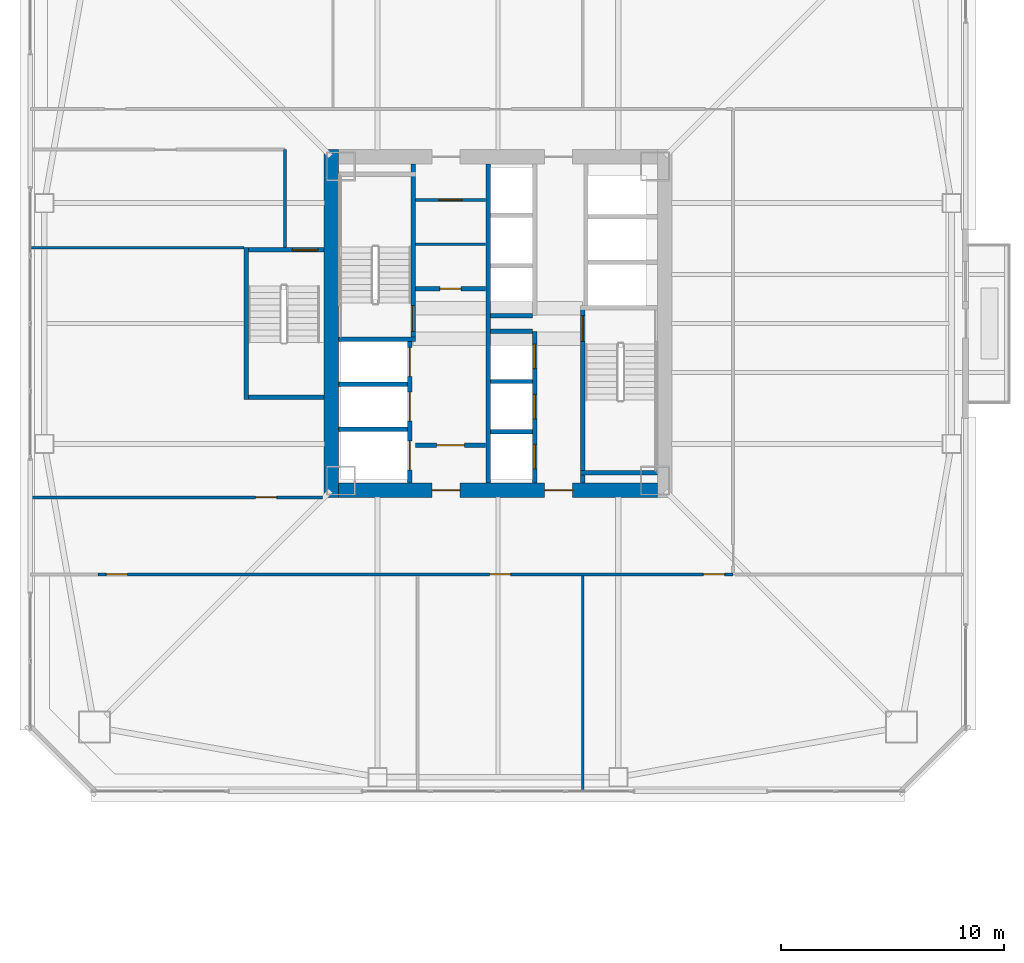
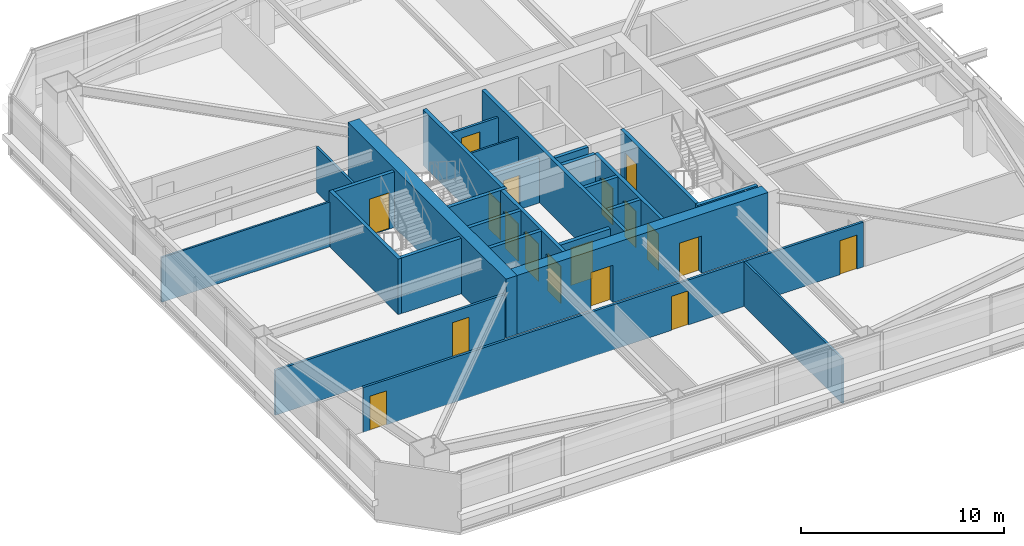
# One storey, part 33 of 44: 27 walls, 18 doors, 18 openings.
"""IFC4 building model written with IfcOpenShell, lengths in metres."""

from ifc_helpers import new_model, si_unit, direction, frame, frame_2d, origin, place, context, subcontext, project, spatial, rectangle, extrude, material, layer, layer_set, type_object, element, fill, save


model = new_model("IFC4")

# Units and contexts
model_context = context("Model", 3, precision=1e-05, world=origin(), true_north=direction((0.0, 1.0)))
body_context = subcontext(model_context, "Body", "Model", "MODEL_VIEW")
ifc_project = project(units=[si_unit("LENGTHUNIT", "METRE"), si_unit("AREAUNIT", "SQUARE_METRE"), si_unit("VOLUMEUNIT", "CUBIC_METRE"), si_unit("PLANEANGLEUNIT", "RADIAN"), si_unit("MASSUNIT", "GRAM", prefix="KILO")], contexts=[model_context])

# Site, building, storey
site_placement = place(None, origin())
site = spatial("IfcSite", under=ifc_project, at=site_placement, CompositionType="ELEMENT")
building_placement = place(site_placement, origin())
building = spatial("IfcBuilding", under=site, at=building_placement, Name="Tashvorn Skyway Center", CompositionType="ELEMENT")
storey_placement = place(building_placement, frame((0.0, 0.0, 84.949951171875)))
storey = spatial("IfcBuildingStorey", under=building, at=storey_placement, Name="L22", CompositionType="ELEMENT", Elevation=84.949951171875)

# Wall
ifc_material_1 = material(Name="Concrete C60/75", Category="concrete")
ifc_layer_1 = layer(ifc_material_1, 0.64990234375)
ifc_layer_set_1 = layer_set([ifc_layer_1], Name="Concrete C60/75")
wall_type_1 = type_object("IfcWallType", Name="WALL-CORE-650", PredefinedType="SHEAR", material=ifc_layer_set_1)
wall_1_placement = place(storey_placement, frame((34.52490234375, 24.199951171875, 0.0), z_axis=(0.0, 0.0, 1.0), x_axis=(0.0, 1.0, 0.0)))
element("IfcWall", 1, at=wall_1_placement, inside=storey, type_object=wall_type_1, Name="Tower 1 L22 West Core Shear Wall", PredefinedType="SHEAR", context=body_context, shape_type="SweptSolid", body=[
    extrude(rectangle(XDim=15.60009765625, YDim=0.64990234375, at=frame_2d((7.800048828125, 0.0))), origin(), (0.0, 0.0, 1.0), 3.550048828125),
])

# Wall, openings, doors
wall_2_placement = place(storey_placement, frame((49.14990234375, 24.52490234375, 0.0), z_axis=(0.0, 0.0, 1.0), x_axis=(-1.0, 0.0, 0.0)))
wall_2 = element("IfcWall", 2, at=wall_2_placement, inside=storey, type_object=wall_type_1, Name="Tower 1 L22 South Core Shear Wall", PredefinedType="SHEAR", context=body_context, shape_type="SweptSolid", body=[
    extrude(rectangle(XDim=14.2998046875, YDim=0.64990234375, at=frame_2d((7.14990234375, 0.0))), origin(), (0.0, 0.0, 1.0), 3.550048828125),
])
opening_1_placement = place(wall_2_placement, frame((8.85009765625, 0.0, 0.0)))
opening_1 = element("IfcOpeningElement", 3, at=opening_1_placement, cuts=wall_2, Name="Opening D-FFL-1250", PredefinedType="OPENING", context=body_context, shape_type="SweptSolid", body=[
    extrude(rectangle(XDim=1.25, YDim=2.25, at=frame_2d((0.625, 1.125))), frame((0.0, 0.3349609375, 0.0), z_axis=(0.0, -1.0, 0.0), x_axis=(1.0, 0.0, 0.0)), (0.0, 0.0, 1.0), 0.669921875),
])
opening_2_placement = place(wall_2_placement, frame((3.800048828125, 0.0, 0.0)))
opening_2 = element("IfcOpeningElement", 4, at=opening_2_placement, cuts=wall_2, Name="Opening D-FFL-1250", PredefinedType="OPENING", context=body_context, shape_type="SweptSolid", body=[
    extrude(rectangle(XDim=1.25, YDim=2.25, at=frame_2d((0.625, 1.125))), frame((0.0, 0.3349609375, 0.0), z_axis=(0.0, -1.0, 0.0), x_axis=(1.0, 0.0, 0.0)), (0.0, 0.0, 1.0), 0.669921875),
])
ifc_material_2 = material(Name="Hollow galvanized steel fire door assembly", Category="steel")
door_type_1 = type_object("IfcDoorType", Name="DOOR-FFL-1250", OperationType="NOTDEFINED", PredefinedType="DOOR", material=ifc_material_2)
door_1_placement = place(opening_1_placement, origin())
door_1 = element("IfcDoor", 5, at=door_1_placement, inside=storey, type_object=door_type_1, Name="Tower 1 L22 Core South Firefighting Exit Door", OperationType="SINGLE_SWING_LEFT", OverallHeight=2.25, OverallWidth=1.25, PredefinedType="DOOR", context=body_context, shape_type="SweptSolid", body=[
    extrude(rectangle(XDim=1.25, YDim=2.25, at=frame_2d((0.625, 1.125))), frame((0.0, 0.02490234375, 0.0), z_axis=(0.0, -1.0, 0.0), x_axis=(1.0, 0.0, 0.0)), (0.0, 0.0, 1.0), 0.050048828125),
])
fill(opening_1, door_1)
door_2_placement = place(opening_2_placement, origin())
door_2 = element("IfcDoor", 6, at=door_2_placement, inside=storey, type_object=door_type_1, Name="Tower 1 L22 Core South Lift Lobby Door", OperationType="SINGLE_SWING_RIGHT", OverallHeight=2.25, OverallWidth=1.25, PredefinedType="DOOR", context=body_context, shape_type="SweptSolid", body=[
    extrude(rectangle(XDim=1.25, YDim=2.25, at=frame_2d((0.625, 1.125))), frame((0.0, 0.02490234375, 0.0), z_axis=(0.0, -1.0, 0.0), x_axis=(1.0, 0.0, 0.0)), (0.0, 0.0, 1.0), 0.050048828125),
])
fill(opening_2, door_2)

# Wall, opening, door
ifc_material_3 = material(Name="Concrete C40/50", Category="concrete")
ifc_layer_2 = layer(ifc_material_3, 0.219970703125)
ifc_layer_set_2 = layer_set([ifc_layer_2], Name="Concrete C40/50")
wall_type_2 = type_object("IfcWallType", Name="WALL-FFL-220", PredefinedType="SOLIDWALL", material=ifc_layer_set_2)
wall_3_placement = place(storey_placement, frame((38.300048828125, 33.56005859375, 0.0), z_axis=(0.0, 0.0, 1.0), x_axis=(1.0, 0.0, 0.0)))
wall_3 = element("IfcWall", 7, at=wall_3_placement, inside=storey, type_object=wall_type_2, Name="Tower 1 L22 Firefighting Lobby North Wall", PredefinedType="SOLIDWALL", context=body_context, shape_type="SweptSolid", body=[
    extrude(rectangle(XDim=3.14990234375, YDim=0.219970703125, at=frame_2d((1.574951171875, 0.0))), origin(), (0.0, 0.0, 1.0), 2.703125),
])
opening_3_placement = place(wall_3_placement, frame((1.10009765625, 0.0, 0.0)))
opening_3 = element("IfcOpeningElement", 8, at=opening_3_placement, cuts=wall_3, Name="Opening D-RT-950", PredefinedType="OPENING", context=body_context, shape_type="SweptSolid", body=[
    extrude(rectangle(XDim=0.949951171875, YDim=2.050048828125, at=frame_2d((0.47509765625, 1.02490234375))), frame((0.0, 0.119873046875, 0.0), z_axis=(0.0, -1.0, 0.0), x_axis=(1.0, 0.0, 0.0)), (0.0, 0.0, 1.0), 0.239990234375),
])
door_type_2 = type_object("IfcDoorType", Name="DOOR-RATED-950", OperationType="NOTDEFINED", PredefinedType="DOOR", material=ifc_material_2)
door_3_placement = place(opening_3_placement, origin())
door_3 = element("IfcDoor", 9, at=door_3_placement, inside=storey, type_object=door_type_2, Name="Tower 1 L22 Core Linen Store Door", OperationType="SINGLE_SWING_LEFT", OverallHeight=2.050048828125, OverallWidth=0.949951171875, PredefinedType="DOOR", context=body_context, shape_type="SweptSolid", body=[
    extrude(rectangle(XDim=0.949951171875, YDim=2.050048828125, at=frame_2d((0.47509765625, 1.02490234375))), frame((0.0, 0.02490234375, 0.0), z_axis=(0.0, -1.0, 0.0), x_axis=(1.0, 0.0, 0.0)), (0.0, 0.0, 1.0), 0.050048828125),
])
fill(opening_3, door_3)

wall_4_placement = place(storey_placement, frame((38.300048828125, 26.5400390625, 0.0), z_axis=(0.0, 0.0, 1.0), x_axis=(1.0, 0.0, 0.0)))
wall_4 = element("IfcWall", 10, at=wall_4_placement, inside=storey, type_object=wall_type_2, Name="Tower 1 L22 Firefighting Lobby South Wall", PredefinedType="SOLIDWALL", context=body_context, shape_type="SweptSolid", body=[
    extrude(rectangle(XDim=3.14990234375, YDim=0.219970703125, at=frame_2d((1.574951171875, 0.0))), origin(), (0.0, 0.0, 1.0), 2.703125),
])
opening_4_placement = place(wall_4_placement, frame((0.949951171875, 0.0, 0.0)))
opening_4 = element("IfcOpeningElement", 11, at=opening_4_placement, cuts=wall_4, Name="Opening D-FFL-1250", PredefinedType="OPENING", context=body_context, shape_type="SweptSolid", body=[
    extrude(rectangle(XDim=1.25, YDim=2.25, at=frame_2d((0.625, 1.125))), frame((0.0, 0.119873046875, 0.0), z_axis=(0.0, -1.0, 0.0), x_axis=(1.0, 0.0, 0.0)), (0.0, 0.0, 1.0), 0.239990234375),
])
door_4_placement = place(opening_4_placement, origin())
door_4 = element("IfcDoor", 12, at=door_4_placement, inside=storey, type_object=door_type_1, Name="Tower 1 L22 Firefighting Lobby Egress Door", OperationType="SINGLE_SWING_LEFT", OverallHeight=2.25, OverallWidth=1.25, PredefinedType="DOOR", context=body_context, shape_type="SweptSolid", body=[
    extrude(rectangle(XDim=1.25, YDim=2.25, at=frame_2d((0.625, 1.125))), frame((0.0, 0.02490234375, 0.0), z_axis=(0.0, -1.0, 0.0), x_axis=(1.0, 0.0, 0.0)), (0.0, 0.0, 1.0), 0.050048828125),
])
fill(opening_4, door_4)

# Walls
ifc_material_4 = material(Name="Gypsum board on cold-formed steel stud framing", Category="steel")
ifc_layer_3 = layer(ifc_material_4, 0.110107421875)
ifc_layer_set_3 = layer_set([ifc_layer_3], Name="Gypsum board on cold-formed steel stud framing")
wall_type_3 = type_object("IfcWallType", Name="WALL-PART-110", PredefinedType="PARTITIONING", material=ifc_layer_set_3)
wall_5_placement = place(storey_placement, frame((45.800048828125, 11.02001953125, 0.0), z_axis=(0.0, 0.0, 1.0), x_axis=(0.0, 1.0, 0.0)))
element("IfcWall", 13, at=wall_5_placement, inside=storey, type_object=wall_type_3, Name="Tower 1 L22 South Suite Partition 2", PredefinedType="PARTITIONING", context=body_context, shape_type="SweptSolid", body=[
    extrude(rectangle(XDim=9.64990234375, YDim=0.110107421875, at=frame_2d((4.824951171875, 0.0))), origin(), (0.0, 0.0, 1.0), 2.703125),
])
wall_6_placement = place(storey_placement, frame((30.60009765625, 35.39990234375, 0.0), z_axis=(0.0, 0.0, 1.0), x_axis=(-1.0, 0.0, 0.0)))
element("IfcWall", 14, at=wall_6_placement, inside=storey, type_object=wall_type_3, Name="Tower 1 L22 West Suite Partition 1", PredefinedType="PARTITIONING", context=body_context, shape_type="SweptSolid", body=[
    extrude(rectangle(XDim=9.580078125, YDim=0.110107421875, at=frame_2d((4.7900390625, 0.0))), origin(), (0.0, 0.0, 1.0), 2.703125),
])
ifc_layer_4 = layer(ifc_material_4, 0.135009765625)
ifc_layer_set_4 = layer_set([ifc_layer_4], Name="Gypsum board on cold-formed steel stud framing")
wall_type_4 = type_object("IfcWallType", Name="WALL-PART-135", PredefinedType="PARTITIONING", material=ifc_layer_set_4)
wall_7_placement = place(storey_placement, frame((32.449951171875, 35.39990234375, 0.0), z_axis=(0.0, 0.0, 1.0), x_axis=(0.0, 1.0, 0.0)))
element("IfcWall", 15, at=wall_7_placement, inside=storey, type_object=wall_type_4, Name="Tower 1 L22 Stair 3 Access Corridor Wall", PredefinedType="PARTITIONING", context=body_context, shape_type="SweptSolid", body=[
    extrude(rectangle(XDim=4.400146484375, YDim=0.135009765625, at=frame_2d((2.2001953125, 0.0))), origin(), (0.0, 0.0, 1.0), 2.703125),
])

# Wall, openings, doors
wall_8_placement = place(storey_placement, frame((52.550048828125, 20.75, 0.0), z_axis=(0.0, 0.0, 1.0), x_axis=(-1.0, 0.0, 0.0)))
wall_8 = element("IfcWall", 16, at=wall_8_placement, inside=storey, type_object=wall_type_4, Name="Tower 1 L22 South Suite Wall", PredefinedType="PARTITIONING", context=body_context, shape_type="SweptSolid", body=[
    extrude(rectangle(XDim=28.5, YDim=0.135009765625, at=frame_2d((14.25, 0.0))), origin(), (0.0, 0.0, 1.0), 2.703125),
])
opening_5_placement = place(wall_8_placement, frame((27.169921875, 0.0, 0.0)))
opening_5 = element("IfcOpeningElement", 17, at=opening_5_placement, cuts=wall_8, Name="Opening D-INT-950", PredefinedType="OPENING", context=body_context, shape_type="SweptSolid", body=[
    extrude(rectangle(XDim=0.949951171875, YDim=2.050048828125, at=frame_2d((0.47509765625, 1.02490234375))), frame((0.0, 0.077392578125, 0.0), z_axis=(0.0, -1.0, 0.0), x_axis=(1.0, 0.0, 0.0)), (0.0, 0.0, 1.0), 0.155029296875),
])
opening_6_placement = place(wall_8_placement, frame((9.97509765625, 0.0, 0.0)))
opening_6 = element("IfcOpeningElement", 18, at=opening_6_placement, cuts=wall_8, Name="Opening D-INT-950", PredefinedType="OPENING", context=body_context, shape_type="SweptSolid", body=[
    extrude(rectangle(XDim=0.949951171875, YDim=2.050048828125, at=frame_2d((0.47509765625, 1.02490234375))), frame((0.0, 0.077392578125, 0.0), z_axis=(0.0, -1.0, 0.0), x_axis=(1.0, 0.0, 0.0)), (0.0, 0.0, 1.0), 0.155029296875),
])
opening_7_placement = place(wall_8_placement, frame((0.3798828125, 0.0, 0.0)))
opening_7 = element("IfcOpeningElement", 19, at=opening_7_placement, cuts=wall_8, Name="Opening D-INT-950", PredefinedType="OPENING", context=body_context, shape_type="SweptSolid", body=[
    extrude(rectangle(XDim=0.949951171875, YDim=2.050048828125, at=frame_2d((0.47509765625, 1.02490234375))), frame((0.0, 0.077392578125, 0.0), z_axis=(0.0, -1.0, 0.0), x_axis=(1.0, 0.0, 0.0)), (0.0, 0.0, 1.0), 0.155029296875),
])
ifc_material_5 = material(Name="Solid-core architectural oak veneer door")
door_type_3 = type_object("IfcDoorType", Name="DOOR-INT-950", OperationType="NOTDEFINED", PredefinedType="DOOR", material=ifc_material_5)
door_5_placement = place(opening_5_placement, origin())
door_5 = element("IfcDoor", 20, at=door_5_placement, inside=storey, type_object=door_type_3, Name="Tower 1 L22 Open Plan Office Door", OperationType="SINGLE_SWING_RIGHT", OverallHeight=2.050048828125, OverallWidth=0.949951171875, PredefinedType="DOOR", context=body_context, shape_type="SweptSolid", body=[
    extrude(rectangle(XDim=0.949951171875, YDim=2.050048828125, at=frame_2d((0.47509765625, 1.02490234375))), frame((0.0, 0.02490234375, 0.0), z_axis=(0.0, -1.0, 0.0), x_axis=(1.0, 0.0, 0.0)), (0.0, 0.0, 1.0), 0.050048828125),
])
fill(opening_5, door_5)
door_6_placement = place(opening_6_placement, origin())
door_6 = element("IfcDoor", 21, at=door_6_placement, inside=storey, type_object=door_type_3, Name="Tower 1 L22 Design Studio Door", OperationType="SINGLE_SWING_LEFT", OverallHeight=2.050048828125, OverallWidth=0.949951171875, PredefinedType="DOOR", context=body_context, shape_type="SweptSolid", body=[
    extrude(rectangle(XDim=0.949951171875, YDim=2.050048828125, at=frame_2d((0.47509765625, 1.02490234375))), frame((0.0, 0.02490234375, 0.0), z_axis=(0.0, -1.0, 0.0), x_axis=(1.0, 0.0, 0.0)), (0.0, 0.0, 1.0), 0.050048828125),
])
fill(opening_6, door_6)
door_7_placement = place(opening_7_placement, origin())
door_7 = element("IfcDoor", 22, at=door_7_placement, inside=storey, type_object=door_type_3, Name="Tower 1 L22 Design Studio Door", OperationType="SINGLE_SWING_RIGHT", OverallHeight=2.050048828125, OverallWidth=0.949951171875, PredefinedType="DOOR", context=body_context, shape_type="SweptSolid", body=[
    extrude(rectangle(XDim=0.949951171875, YDim=2.050048828125, at=frame_2d((0.47509765625, 1.02490234375))), frame((0.0, 0.02490234375, 0.0), z_axis=(0.0, -1.0, 0.0), x_axis=(1.0, 0.0, 0.0)), (0.0, 0.0, 1.0), 0.050048828125),
])
fill(opening_7, door_7)

# Wall, opening, door
wall_9_placement = place(storey_placement, frame((21.02001953125, 24.199951171875, 0.0), z_axis=(0.0, 0.0, 1.0), x_axis=(1.0, 0.0, 0.0)))
wall_9 = element("IfcWall", 23, at=wall_9_placement, inside=storey, type_object=wall_type_4, Name="Tower 1 L22 West Suite South Wall", PredefinedType="PARTITIONING", context=body_context, shape_type="SweptSolid", body=[
    extrude(rectangle(XDim=13.10009765625, YDim=0.135009765625, at=frame_2d((6.550048828125, 0.0))), origin(), (0.0, 0.0, 1.0), 2.703125),
])
opening_8_placement = place(wall_9_placement, frame((10.10498046875, 0.0, 0.0)))
opening_8 = element("IfcOpeningElement", 24, at=opening_8_placement, cuts=wall_9, Name="Opening D-INT-950", PredefinedType="OPENING", context=body_context, shape_type="SweptSolid", body=[
    extrude(rectangle(XDim=0.949951171875, YDim=2.050048828125, at=frame_2d((0.47509765625, 1.02490234375))), frame((0.0, 0.077392578125, 0.0), z_axis=(0.0, -1.0, 0.0), x_axis=(1.0, 0.0, 0.0)), (0.0, 0.0, 1.0), 0.155029296875),
])
door_8_placement = place(opening_8_placement, origin())
door_8 = element("IfcDoor", 25, at=door_8_placement, inside=storey, type_object=door_type_3, Name="Tower 1 L22 Public Restroom Door", OperationType="SINGLE_SWING_LEFT", OverallHeight=2.050048828125, OverallWidth=0.949951171875, PredefinedType="DOOR", context=body_context, shape_type="SweptSolid", body=[
    extrude(rectangle(XDim=0.949951171875, YDim=2.050048828125, at=frame_2d((0.47509765625, 1.02490234375))), frame((0.0, 0.02490234375, 0.0), z_axis=(0.0, -1.0, 0.0), x_axis=(1.0, 0.0, 0.0)), (0.0, 0.0, 1.0), 0.050048828125),
])
fill(opening_8, door_8)

# Wall
ifc_layer_5 = layer(ifc_material_4, 0.110107421875)
ifc_layer_set_5 = layer_set([ifc_layer_5], Name="Gypsum board on cold-formed steel stud framing")
wall_type_5 = type_object("IfcWallType", Name="WALL-RATED-110", PredefinedType="PARTITIONING", material=ifc_layer_set_5)
wall_10_placement = place(storey_placement, frame((38.300048828125, 35.550048828125, 0.0), z_axis=(0.0, 0.0, 1.0), x_axis=(1.0, 0.0, 0.0)))
element("IfcWall", 26, at=wall_10_placement, inside=storey, type_object=wall_type_5, Name="Tower 1 L22 Core Transverse Wall", PredefinedType="PARTITIONING", context=body_context, shape_type="SweptSolid", body=[
    extrude(rectangle(XDim=3.14990234375, YDim=0.110107421875, at=frame_2d((1.574951171875, 0.0))), origin(), (0.0, 0.0, 1.0), 2.703125),
])

# Wall, opening, door
ifc_layer_6 = layer(ifc_material_4, 0.135009765625)
ifc_layer_set_6 = layer_set([ifc_layer_6], Name="Gypsum board on cold-formed steel stud framing")
wall_type_6 = type_object("IfcWallType", Name="WALL-RATED-135", PredefinedType="PARTITIONING", material=ifc_layer_set_6)
wall_11_placement = place(storey_placement, frame((38.300048828125, 37.550048828125, 0.0), z_axis=(0.0, 0.0, 1.0), x_axis=(1.0, 0.0, 0.0)))
wall_11 = element("IfcWall", 27, at=wall_11_placement, inside=storey, type_object=wall_type_6, Name="Tower 1 L22 Core Service Lobby Wall", PredefinedType="PARTITIONING", context=body_context, shape_type="SweptSolid", body=[
    extrude(rectangle(XDim=3.14990234375, YDim=0.135009765625, at=frame_2d((1.574951171875, 0.0))), origin(), (0.0, 0.0, 1.0), 2.703125),
])
opening_9_placement = place(wall_11_placement, frame((1.050048828125, 0.0, 0.0)))
opening_9 = element("IfcOpeningElement", 28, at=opening_9_placement, cuts=wall_11, Name="Opening D-RT-1050", PredefinedType="OPENING", context=body_context, shape_type="SweptSolid", body=[
    extrude(rectangle(XDim=1.050048828125, YDim=2.199951171875, at=frame_2d((0.52490234375, 1.10009765625))), frame((0.0, 0.077392578125, 0.0), z_axis=(0.0, -1.0, 0.0), x_axis=(1.0, 0.0, 0.0)), (0.0, 0.0, 1.0), 0.155029296875),
])
door_type_4 = type_object("IfcDoorType", Name="DOOR-RATED-1050", OperationType="NOTDEFINED", PredefinedType="DOOR", material=ifc_material_2)
door_9_placement = place(opening_9_placement, origin())
door_9 = element("IfcDoor", 29, at=door_9_placement, inside=storey, type_object=door_type_4, Name="Tower 1 L22 Core Accessible WC Door", OperationType="SINGLE_SWING_RIGHT", OverallHeight=2.199951171875, OverallWidth=1.050048828125, PredefinedType="DOOR", context=body_context, shape_type="SweptSolid", body=[
    extrude(rectangle(XDim=1.050048828125, YDim=2.199951171875, at=frame_2d((0.52490234375, 1.10009765625))), frame((0.0, 0.02490234375, 0.0), z_axis=(0.0, -1.0, 0.0), x_axis=(1.0, 0.0, 0.0)), (0.0, 0.0, 1.0), 0.050048828125),
])
fill(opening_9, door_9)

# Walls
ifc_layer_7 = layer(ifc_material_3, 0.199951171875)
ifc_layer_set_7 = layer_set([ifc_layer_7], Name="Concrete C40/50")
wall_type_7 = type_object("IfcWallType", Name="WALL-SHAFT-200", PredefinedType="SOLIDWALL", material=ifc_layer_set_7)
for number, where, z_axis, x_axis, name in (
    (30, (34.85009765625, 27.25, 0.0), (0.0, 0.0, 1.0), (1.0, 0.0, 0.0), "Tower 1 L22 FSAE Shaft Divider"),
    (31, (34.85009765625, 29.280029296875, 0.0), (0.0, 0.0, 1.0), (1.0, 0.0, 0.0), "Tower 1 L22 FSAE Shaft Divider"),
):
    element("IfcWall", number, at=place(storey_placement, frame(where, z_axis=z_axis, x_axis=x_axis)), inside=storey, type_object=wall_type_7, Name=name, PredefinedType="SOLIDWALL", context=body_context, shape_type="SweptSolid", body=[
        extrude(rectangle(XDim=3.099853515625, YDim=0.199951171875, at=frame_2d((1.5498046875, 0.0))), origin(), (0.0, 0.0, 1.0), 3.35009765625),
    ])

# Wall, openings, doors
wall_12_placement = place(storey_placement, frame((43.64990234375, 24.85009765625, 0.0), z_axis=(0.0, 0.0, 1.0), x_axis=(0.0, 1.0, 0.0)))
wall_12 = element("IfcWall", 32, at=wall_12_placement, inside=storey, type_object=wall_type_7, Name="Tower 1 L22 Low-Rise Core Wall", PredefinedType="SOLIDWALL", context=body_context, shape_type="SweptSolid", body=[
    extrude(rectangle(XDim=6.7998046875, YDim=0.199951171875, at=frame_2d((3.39990234375, 0.0))), origin(), (0.0, 0.0, 1.0), 3.35009765625),
])
opening_10_placement = place(wall_12_placement, frame((0.625, 0.0, 0.0)))
opening_10 = element("IfcOpeningElement", 33, at=opening_10_placement, cuts=wall_12, Name="Opening LD-LR-T1-1-L22", PredefinedType="OPENING", context=body_context, shape_type="SweptSolid", body=[
    extrude(rectangle(XDim=1.10009765625, YDim=2.199951171875, at=frame_2d((0.550048828125, 1.10009765625))), frame((0.0, 0.10986328125, 0.0), z_axis=(0.0, -1.0, 0.0), x_axis=(1.0, 0.0, 0.0)), (0.0, 0.0, 1.0), 0.219970703125),
])
opening_11_placement = place(wall_12_placement, frame((2.875, 0.0, 0.0)))
opening_11 = element("IfcOpeningElement", 34, at=opening_11_placement, cuts=wall_12, Name="Opening LD-LR-T1-2-L22", PredefinedType="OPENING", context=body_context, shape_type="SweptSolid", body=[
    extrude(rectangle(XDim=1.10009765625, YDim=2.199951171875, at=frame_2d((0.550048828125, 1.10009765625))), frame((0.0, 0.10986328125, 0.0), z_axis=(0.0, -1.0, 0.0), x_axis=(1.0, 0.0, 0.0)), (0.0, 0.0, 1.0), 0.219970703125),
])
opening_12_placement = place(wall_12_placement, frame((5.125, 0.0, 0.0)))
opening_12 = element("IfcOpeningElement", 35, at=opening_12_placement, cuts=wall_12, Name="Opening LD-LR-T1-3-L22", PredefinedType="OPENING", context=body_context, shape_type="SweptSolid", body=[
    extrude(rectangle(XDim=1.10009765625, YDim=2.199951171875, at=frame_2d((0.550048828125, 1.10009765625))), frame((0.0, 0.10986328125, 0.0), z_axis=(0.0, -1.0, 0.0), x_axis=(1.0, 0.0, 0.0)), (0.0, 0.0, 1.0), 0.219970703125),
])
ifc_material_6 = material(Name="Stainless steel landing door", Category="steel")
door_type_5 = type_object("IfcDoorType", Name="DOOR-LIFT-1100", OperationType="SLIDING_TO_LEFT", PredefinedType="DOOR", material=ifc_material_6)
door_10_placement = place(opening_10_placement, origin())
door_10 = element("IfcDoor", 36, at=door_10_placement, inside=storey, type_object=door_type_5, Name="Lift LR-T1-1 L22 Landing Door", OperationType="SLIDING_TO_LEFT", OverallHeight=2.199951171875, OverallWidth=1.10009765625, PredefinedType="DOOR", context=body_context, shape_type="SweptSolid", body=[
    extrude(rectangle(XDim=1.10009765625, YDim=2.199951171875, at=frame_2d((0.550048828125, 1.10009765625))), frame((0.0, 0.02490234375, 0.0), z_axis=(0.0, -1.0, 0.0), x_axis=(1.0, 0.0, 0.0)), (0.0, 0.0, 1.0), 0.050048828125),
])
fill(opening_10, door_10)
door_11_placement = place(opening_11_placement, origin())
door_11 = element("IfcDoor", 37, at=door_11_placement, inside=storey, type_object=door_type_5, Name="Lift LR-T1-2 L22 Landing Door", OperationType="SLIDING_TO_LEFT", OverallHeight=2.199951171875, OverallWidth=1.10009765625, PredefinedType="DOOR", context=body_context, shape_type="SweptSolid", body=[
    extrude(rectangle(XDim=1.10009765625, YDim=2.199951171875, at=frame_2d((0.550048828125, 1.10009765625))), frame((0.0, 0.02490234375, 0.0), z_axis=(0.0, -1.0, 0.0), x_axis=(1.0, 0.0, 0.0)), (0.0, 0.0, 1.0), 0.050048828125),
])
fill(opening_11, door_11)
door_12_placement = place(opening_12_placement, origin())
door_12 = element("IfcDoor", 38, at=door_12_placement, inside=storey, type_object=door_type_5, Name="Lift LR-T1-3 L22 Landing Door", OperationType="SLIDING_TO_LEFT", OverallHeight=2.199951171875, OverallWidth=1.10009765625, PredefinedType="DOOR", context=body_context, shape_type="SweptSolid", body=[
    extrude(rectangle(XDim=1.10009765625, YDim=2.199951171875, at=frame_2d((0.550048828125, 1.10009765625))), frame((0.0, 0.02490234375, 0.0), z_axis=(0.0, -1.0, 0.0), x_axis=(1.0, 0.0, 0.0)), (0.0, 0.0, 1.0), 0.050048828125),
])
fill(opening_12, door_12)

# Walls
for number, where, z_axis, x_axis, name in (
    (39, (41.669921875, 27.14990234375, 0.0), (0.0, 0.0, 1.0), (1.0, 0.0, 0.0), "Tower 1 L22 Low-Rise Shaft Divider"),
    (40, (41.669921875, 29.39990234375, 0.0), (0.0, 0.0, 1.0), (1.0, 0.0, 0.0), "Tower 1 L22 Low-Rise Shaft Divider"),
    (41, (41.669921875, 31.64990234375, 0.0), (0.0, 0.0, 1.0), (1.0, 0.0, 0.0), "Tower 1 L22 Low-Rise Shaft Divider"),
    (42, (41.669921875, 32.35009765625, 0.0), (0.0, 0.0, 1.0), (1.0, 0.0, 0.0), "Tower 1 L22 Mid-Rise Shaft Divider"),
):
    element("IfcWall", number, at=place(storey_placement, frame(where, z_axis=z_axis, x_axis=x_axis)), inside=storey, type_object=wall_type_7, Name=name, PredefinedType="SOLIDWALL", context=body_context, shape_type="SweptSolid", body=[
        extrude(rectangle(XDim=1.880126953125, YDim=0.199951171875, at=frame_2d((0.93994140625, 0.0))), origin(), (0.0, 0.0, 1.0), 3.35009765625),
    ])

# Wall, opening, door
ifc_layer_8 = layer(ifc_material_3, 0.199951171875)
ifc_layer_set_8 = layer_set([ifc_layer_8], Name="Concrete C40/50")
wall_type_8 = type_object("IfcWallType", Name="WALL-STSHF-200", PredefinedType="SHEAR", material=ifc_layer_set_8)
wall_13_placement = place(storey_placement, frame((38.199951171875, 31.199951171875, 0.0), z_axis=(0.0, 0.0, 1.0), x_axis=(0.0, 1.0, 0.0)))
wall_13 = element("IfcWall", 43, at=wall_13_placement, inside=storey, type_object=wall_type_8, Name="Tower 1 L22 Stair 1 Enclosure Wall", PredefinedType="SHEAR", context=body_context, shape_type="SweptSolid", body=[
    extrude(rectangle(XDim=7.949951171875, YDim=0.199951171875, at=frame_2d((3.97509765625, 0.0))), origin(), (0.0, 0.0, 1.0), 3.35009765625),
])
opening_13_placement = place(wall_13_placement, frame((0.449951171875, 0.0, 0.0)))
opening_13 = element("IfcOpeningElement", 44, at=opening_13_placement, cuts=wall_13, Name="Opening D-ST-1150", PredefinedType="OPENING", context=body_context, shape_type="SweptSolid", body=[
    extrude(rectangle(XDim=1.14990234375, YDim=2.199951171875, at=frame_2d((0.574951171875, 1.10009765625))), frame((0.0, 0.10986328125, 0.0), z_axis=(0.0, -1.0, 0.0), x_axis=(1.0, 0.0, 0.0)), (0.0, 0.0, 1.0), 0.219970703125),
])
door_type_6 = type_object("IfcDoorType", Name="DOOR-STAIR-1150", OperationType="NOTDEFINED", PredefinedType="DOOR", material=ifc_material_2)
door_13_placement = place(opening_13_placement, origin())
door_13 = element("IfcDoor", 45, at=door_13_placement, inside=storey, type_object=door_type_6, Name="Tower 1 L22 Exit Stair 1 Door", OperationType="SINGLE_SWING_RIGHT", OverallHeight=2.199951171875, OverallWidth=1.14990234375, PredefinedType="DOOR", context=body_context, shape_type="SweptSolid", body=[
    extrude(rectangle(XDim=1.14990234375, YDim=2.199951171875, at=frame_2d((0.574951171875, 1.10009765625))), frame((0.0, 0.02490234375, 0.0), z_axis=(0.0, -1.0, 0.0), x_axis=(1.0, 0.0, 0.0)), (0.0, 0.0, 1.0), 0.050048828125),
])
fill(opening_13, door_13)

# Wall
wall_14_placement = place(storey_placement, frame((34.85009765625, 31.300048828125, 0.0), z_axis=(0.0, 0.0, 1.0), x_axis=(1.0, 0.0, 0.0)))
element("IfcWall", 46, at=wall_14_placement, inside=storey, type_object=wall_type_8, Name="Tower 1 L22 Stair 1 South Wall", PredefinedType="SHEAR", context=body_context, shape_type="SweptSolid", body=[
    extrude(rectangle(XDim=3.449951171875, YDim=0.199951171875, at=frame_2d((1.72509765625, 0.0))), origin(), (0.0, 0.0, 1.0), 3.35009765625),
])

# Wall, opening, door
wall_15_placement = place(storey_placement, frame((45.800048828125, 32.800048828125, 0.0), z_axis=(0.0, 0.0, 1.0), x_axis=(0.0, -1.0, 0.0)))
wall_15 = element("IfcWall", 47, at=wall_15_placement, inside=storey, type_object=wall_type_8, Name="Tower 1 L22 Stair 2 Enclosure Wall", PredefinedType="SHEAR", context=body_context, shape_type="SweptSolid", body=[
    extrude(rectangle(XDim=7.949951171875, YDim=0.199951171875, at=frame_2d((3.97509765625, 0.0))), origin(), (0.0, 0.0, 1.0), 3.35009765625),
])
opening_14_placement = place(wall_15_placement, frame((0.449951171875, 0.0, 0.0)))
opening_14 = element("IfcOpeningElement", 48, at=opening_14_placement, cuts=wall_15, Name="Opening D-ST-1150", PredefinedType="OPENING", context=body_context, shape_type="SweptSolid", body=[
    extrude(rectangle(XDim=1.14990234375, YDim=2.199951171875, at=frame_2d((0.574951171875, 1.10009765625))), frame((0.0, 0.10986328125, 0.0), z_axis=(0.0, -1.0, 0.0), x_axis=(1.0, 0.0, 0.0)), (0.0, 0.0, 1.0), 0.219970703125),
])
door_14_placement = place(opening_14_placement, origin())
door_14 = element("IfcDoor", 49, at=door_14_placement, inside=storey, type_object=door_type_6, Name="Tower 1 L22 Exit Stair 2 Door", OperationType="SINGLE_SWING_RIGHT", OverallHeight=2.199951171875, OverallWidth=1.14990234375, PredefinedType="DOOR", context=body_context, shape_type="SweptSolid", body=[
    extrude(rectangle(XDim=1.14990234375, YDim=2.199951171875, at=frame_2d((0.574951171875, 1.10009765625))), frame((0.0, 0.02490234375, 0.0), z_axis=(0.0, -1.0, 0.0), x_axis=(1.0, 0.0, 0.0)), (0.0, 0.0, 1.0), 0.050048828125),
])
fill(opening_14, door_14)

# Walls
wall_16_placement = place(storey_placement, frame((45.699951171875, 25.300048828125, 0.0), z_axis=(0.0, 0.0, 1.0), x_axis=(1.0, 0.0, 0.0)))
element("IfcWall", 50, at=wall_16_placement, inside=storey, type_object=wall_type_8, Name="Tower 1 L22 Stair 2 South Wall", PredefinedType="SHEAR", context=body_context, shape_type="SweptSolid", body=[
    extrude(rectangle(XDim=3.449951171875, YDim=0.199951171875, at=frame_2d((1.72509765625, 0.0))), origin(), (0.0, 0.0, 1.0), 3.35009765625),
])
wall_17_placement = place(storey_placement, frame((41.56005859375, 24.85009765625, 0.0), z_axis=(0.0, 0.0, 1.0), x_axis=(0.0, 1.0, 0.0)))
element("IfcWall", 51, at=wall_17_placement, inside=storey, type_object=wall_type_8, Name="Tower 1 L22 Firefighting Lobby East Smoke Barrier", PredefinedType="SHEAR", context=body_context, shape_type="SweptSolid", body=[
    extrude(rectangle(XDim=14.2998046875, YDim=0.199951171875, at=frame_2d((7.14990234375, 0.0))), origin(), (0.0, 0.0, 1.0), 3.35009765625),
])

# Wall, openings, doors
wall_18_placement = place(storey_placement, frame((38.050048828125, 24.85009765625, 0.0), z_axis=(0.0, 0.0, 1.0), x_axis=(0.0, 1.0, 0.0)))
wall_18 = element("IfcWall", 52, at=wall_18_placement, inside=storey, type_object=wall_type_8, Name="Tower 1 L22 FSAE and Goods Shaft Front Wall", PredefinedType="SHEAR", context=body_context, shape_type="SweptSolid", body=[
    extrude(rectangle(XDim=6.349853515625, YDim=0.199951171875, at=frame_2d((3.1748046875, 0.0))), origin(), (0.0, 0.0, 1.0), 3.35009765625),
])
opening_15_placement = place(wall_18_placement, frame((4.77490234375, 0.0, 0.0)))
opening_15 = element("IfcOpeningElement", 53, at=opening_15_placement, cuts=wall_18, Name="Opening LD-FF-T1-1-L22", PredefinedType="OPENING", context=body_context, shape_type="SweptSolid", body=[
    extrude(rectangle(XDim=1.300048828125, YDim=2.25, at=frame_2d((0.64990234375, 1.125))), frame((0.0, 0.10986328125, 0.0), z_axis=(0.0, -1.0, 0.0), x_axis=(1.0, 0.0, 0.0)), (0.0, 0.0, 1.0), 0.219970703125),
])
opening_16_placement = place(wall_18_placement, frame((2.77490234375, 0.0, 0.0)))
opening_16 = element("IfcOpeningElement", 54, at=opening_16_placement, cuts=wall_18, Name="Opening LD-FF-T1-2-L22", PredefinedType="OPENING", context=body_context, shape_type="SweptSolid", body=[
    extrude(rectangle(XDim=1.300048828125, YDim=2.25, at=frame_2d((0.64990234375, 1.125))), frame((0.0, 0.10986328125, 0.0), z_axis=(0.0, -1.0, 0.0), x_axis=(1.0, 0.0, 0.0)), (0.0, 0.0, 1.0), 0.219970703125),
])
opening_17_placement = place(wall_18_placement, frame((0.574951171875, 0.0, 0.0)))
opening_17 = element("IfcOpeningElement", 55, at=opening_17_placement, cuts=wall_18, Name="Opening LD-GD-T1-1-L22", PredefinedType="OPENING", context=body_context, shape_type="SweptSolid", body=[
    extrude(rectangle(XDim=1.300048828125, YDim=2.25, at=frame_2d((0.64990234375, 1.125))), frame((0.0, 0.10986328125, 0.0), z_axis=(0.0, -1.0, 0.0), x_axis=(1.0, 0.0, 0.0)), (0.0, 0.0, 1.0), 0.219970703125),
])
ifc_material_7 = material(Name="Stainless steel heavy-duty landing door", Category="steel")
door_type_7 = type_object("IfcDoorType", Name="DOOR-LIFT-1300", OperationType="SLIDING_TO_LEFT", PredefinedType="DOOR", material=ifc_material_7)
door_15_placement = place(opening_15_placement, origin())
door_15 = element("IfcDoor", 56, at=door_15_placement, inside=storey, type_object=door_type_7, Name="Lift FF-T1-1 L22 Landing Door", OperationType="SLIDING_TO_LEFT", OverallHeight=2.25, OverallWidth=1.300048828125, PredefinedType="DOOR", context=body_context, shape_type="SweptSolid", body=[
    extrude(rectangle(XDim=1.300048828125, YDim=2.25, at=frame_2d((0.64990234375, 1.125))), frame((0.0, 0.02490234375, 0.0), z_axis=(0.0, -1.0, 0.0), x_axis=(1.0, 0.0, 0.0)), (0.0, 0.0, 1.0), 0.050048828125),
])
fill(opening_15, door_15)
door_16_placement = place(opening_16_placement, origin())
door_16 = element("IfcDoor", 57, at=door_16_placement, inside=storey, type_object=door_type_7, Name="Lift FF-T1-2 L22 Landing Door", OperationType="SLIDING_TO_LEFT", OverallHeight=2.25, OverallWidth=1.300048828125, PredefinedType="DOOR", context=body_context, shape_type="SweptSolid", body=[
    extrude(rectangle(XDim=1.300048828125, YDim=2.25, at=frame_2d((0.64990234375, 1.125))), frame((0.0, 0.02490234375, 0.0), z_axis=(0.0, -1.0, 0.0), x_axis=(1.0, 0.0, 0.0)), (0.0, 0.0, 1.0), 0.050048828125),
])
fill(opening_16, door_16)
door_17_placement = place(opening_17_placement, origin())
door_17 = element("IfcDoor", 58, at=door_17_placement, inside=storey, type_object=door_type_7, Name="Lift GD-T1-1 L22 Landing Door", OperationType="SLIDING_TO_LEFT", OverallHeight=2.25, OverallWidth=1.300048828125, PredefinedType="DOOR", context=body_context, shape_type="SweptSolid", body=[
    extrude(rectangle(XDim=1.300048828125, YDim=2.25, at=frame_2d((0.64990234375, 1.125))), frame((0.0, 0.02490234375, 0.0), z_axis=(0.0, -1.0, 0.0), x_axis=(1.0, 0.0, 0.0)), (0.0, 0.0, 1.0), 0.050048828125),
])
fill(opening_17, door_17)

# Wall
wall_19_placement = place(storey_placement, frame((30.699951171875, 28.60009765625, 0.0), z_axis=(0.0, 0.0, 1.0), x_axis=(0.0, 1.0, 0.0)))
element("IfcWall", 59, at=wall_19_placement, inside=storey, type_object=wall_type_8, Name="Tower 1 L22 Stair 3 Outer Wall", PredefinedType="SHEAR", context=body_context, shape_type="SweptSolid", body=[
    extrude(rectangle(XDim=6.7998046875, YDim=0.199951171875, at=frame_2d((3.39990234375, 0.0))), origin(), (0.0, 0.0, 1.0), 3.35009765625),
])

# Wall, opening, door
wall_20_placement = place(storey_placement, frame((34.199951171875, 35.300048828125, 0.0), z_axis=(0.0, 0.0, 1.0), x_axis=(-1.0, 0.0, 0.0)))
wall_20 = element("IfcWall", 60, at=wall_20_placement, inside=storey, type_object=wall_type_8, Name="Tower 1 L22 Stair 3 Enclosure Wall", PredefinedType="SHEAR", context=body_context, shape_type="SweptSolid", body=[
    extrude(rectangle(XDim=3.39990234375, YDim=0.199951171875, at=frame_2d((1.699951171875, 0.0))), origin(), (0.0, 0.0, 1.0), 3.35009765625),
])
opening_18_placement = place(wall_20_placement, frame((0.27490234375, 0.0, 0.0)))
opening_18 = element("IfcOpeningElement", 61, at=opening_18_placement, cuts=wall_20, Name="Opening D-ST-1150", PredefinedType="OPENING", context=body_context, shape_type="SweptSolid", body=[
    extrude(rectangle(XDim=1.14990234375, YDim=2.199951171875, at=frame_2d((0.574951171875, 1.10009765625))), frame((0.0, 0.10986328125, 0.0), z_axis=(0.0, -1.0, 0.0), x_axis=(1.0, 0.0, 0.0)), (0.0, 0.0, 1.0), 0.219970703125),
])
door_18_placement = place(opening_18_placement, origin())
door_18 = element("IfcDoor", 62, at=door_18_placement, inside=storey, type_object=door_type_6, Name="Tower 1 L22 Exit Stair 3 Door", OperationType="SINGLE_SWING_RIGHT", OverallHeight=2.199951171875, OverallWidth=1.14990234375, PredefinedType="DOOR", context=body_context, shape_type="SweptSolid", body=[
    extrude(rectangle(XDim=1.14990234375, YDim=2.199951171875, at=frame_2d((0.574951171875, 1.10009765625))), frame((0.0, 0.02490234375, 0.0), z_axis=(0.0, -1.0, 0.0), x_axis=(1.0, 0.0, 0.0)), (0.0, 0.0, 1.0), 0.050048828125),
])
fill(opening_18, door_18)

# Wall
wall_21_placement = place(storey_placement, frame((30.800048828125, 28.699951171875, 0.0), z_axis=(0.0, 0.0, 1.0), x_axis=(1.0, 0.0, 0.0)))
element("IfcWall", 63, at=wall_21_placement, inside=storey, type_object=wall_type_8, Name="Tower 1 L22 Stair 3 South Wall", PredefinedType="SHEAR", context=body_context, shape_type="SweptSolid", body=[
    extrude(rectangle(XDim=3.39990234375, YDim=0.199951171875, at=frame_2d((1.699951171875, 0.0))), origin(), (0.0, 0.0, 1.0), 3.35009765625),
])

save(model, "model.ifc")
